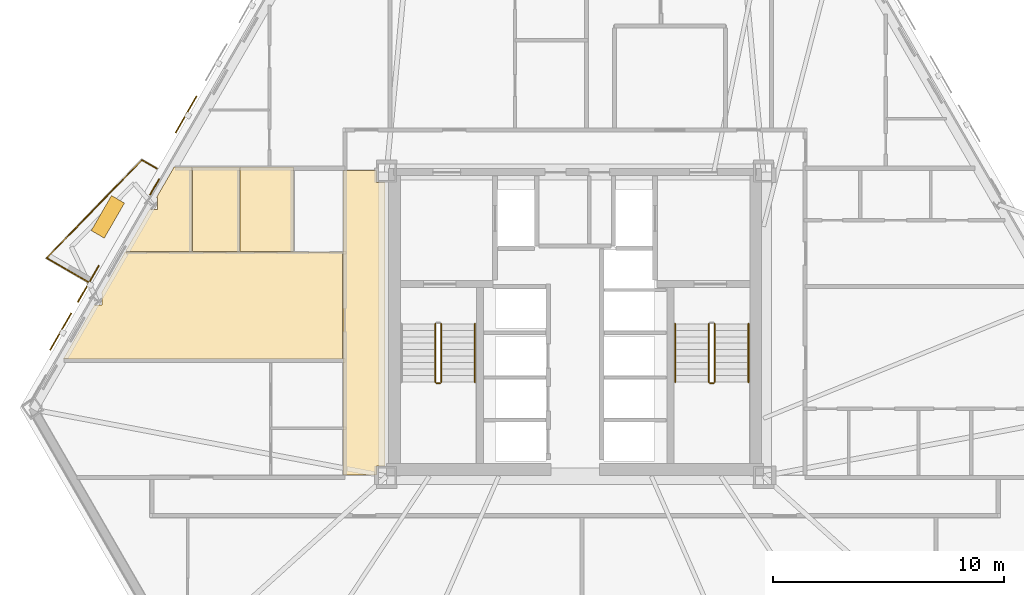
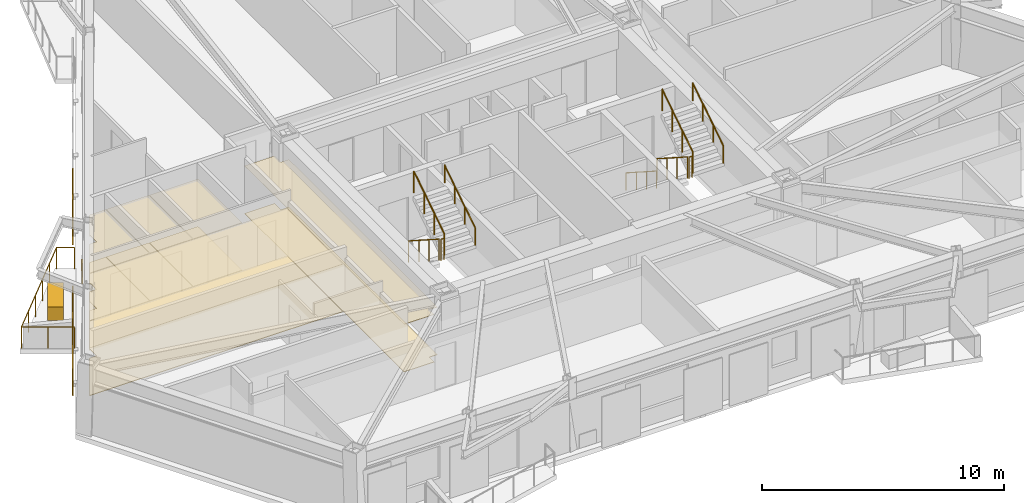
# One storey, part 9 of 11: 12 coverings, 12 railings, 3 shading devices.
"""IFC4 building model written with IfcOpenShell, lengths in metres."""

from ifc_helpers import new_model, si_unit, direction, frame, origin, origin_2d, place, context, subcontext, project, spatial, polyline, rectangle, circle, outline, extrude, material, layer, layer_set, type_object, element, save


model = new_model("IFC4")

# Units and contexts
model_context = context("Model", 3, precision=1e-05, world=origin(), true_north=direction((0.0, 1.0)))
body_context = subcontext(model_context, "Body", "Model", "MODEL_VIEW")
ifc_project = project(units=[si_unit("LENGTHUNIT", "METRE"), si_unit("AREAUNIT", "SQUARE_METRE"), si_unit("VOLUMEUNIT", "CUBIC_METRE"), si_unit("PLANEANGLEUNIT", "RADIAN"), si_unit("MASSUNIT", "GRAM", prefix="KILO")], contexts=[model_context])

# Site, building, storey
site_placement = place(None, origin())
site = spatial("IfcSite", under=ifc_project, at=site_placement, CompositionType="ELEMENT")
building_placement = place(site_placement, origin())
building = spatial("IfcBuilding", under=site, at=building_placement, Name="Oramaril Tower", CompositionType="ELEMENT")
storey_placement = place(building_placement, frame((0.0, 0.0, 82.5)))
storey = spatial("IfcBuildingStorey", under=building, at=storey_placement, Name="L21", CompositionType="ELEMENT", Elevation=82.5)

# Coverings
ifc_material_1 = material(Name="Mineral Fibre Acoustic Ceiling")
ifc_layer_1 = layer(ifc_material_1, 0.02001953125)
ifc_layer_set_1 = layer_set([ifc_layer_1], Name="CVT-CEIL")
covering_type_1 = type_object("IfcCoveringType", Name="CVT-CEIL", PredefinedType="CEILING", material=ifc_layer_set_1)
covering_1_placement = place(storey_placement, frame((0.0, 0.0, 2.39990234375)))
element("IfcCovering", 1, at=covering_1_placement, inside=storey, type_object=covering_type_1, Name="L21 Acoustic Suspended Ceiling 3", PredefinedType="CEILING", context=body_context, shape_type="SweptSolid", body=[
    extrude(outline(polyline([(28.905029296875, 23.705078125), (29.280029296875, 23.705078125), (29.280029296875, 11.445068359375), (28.905029296875, 11.445068359375), (28.905029296875, 11.050048828125), (27.469970703125, 11.050048828125), (27.469970703125, 24.219970703125), (28.905029296875, 24.219970703125), (28.905029296875, 23.705078125)])), origin(), (0.0, 0.0, 1.0), 0.02001953125),
])
covering_2_placement = place(storey_placement, frame((0.0, 0.0, 2.39990234375)))
element("IfcCovering", 2, at=covering_2_placement, inside=storey, type_object=covering_type_1, Name="L21 Acoustic Suspended Ceiling 13", PredefinedType="CEILING", context=body_context, shape_type="SweptSolid", body=[
    extrude(outline(polyline([(16.708984375, 18.39404296875), (17.041015625, 18.39404296875), (17.041015625, 18.91015625), (17.0068359375, 18.91015625), (18.041015625, 20.701171875), (27.449951171875, 20.701171875), (27.449951171875, 16.06201171875), (24.39208984375, 16.06201171875), (24.389892578125, 16.06201171875), (24.38818359375, 16.0615234375), (24.38623046875, 16.06103515625), (24.38427734375, 16.060546875), (24.382568359375, 16.0595703125), (24.382080078125, 16.059326171875), (24.38134765625, 16.0595703125), (24.379638671875, 16.060546875), (24.377685546875, 16.06103515625), (24.3759765625, 16.0615234375), (24.3740234375, 16.06201171875), (24.3720703125, 16.06201171875), (15.3623046875, 16.06201171875), (16.708984375, 18.39404296875)])), origin(), (0.0, 0.0, 1.0), 0.02001953125),
])
covering_3_placement = place(storey_placement, frame((0.0, 0.0, 2.39990234375)))
element("IfcCovering", 3, at=covering_3_placement, inside=storey, type_object=covering_type_1, Name="L21 Acoustic Suspended Ceiling 14", PredefinedType="CEILING", context=body_context, shape_type="SweptSolid", body=[
    extrude(outline(polyline([(19.4345703125, 22.53955078125), (19.4345703125, 23.045654296875), (19.394287109375, 23.045654296875), (20.154296875, 24.362060546875), (20.923583984375, 24.362060546875), (20.923583984375, 20.72119140625), (18.052490234375, 20.72119140625), (19.102294921875, 22.53955078125), (19.4345703125, 22.53955078125)])), origin(), (0.0, 0.0, 1.0), 0.02001953125),
])
covering_4_placement = place(storey_placement, frame((0.0, 0.0, 2.39990234375)))
element("IfcCovering", 4, at=covering_4_placement, inside=storey, type_object=covering_type_1, Name="L21 Acoustic Suspended Ceiling 15", PredefinedType="CEILING", context=body_context, shape_type="SweptSolid", body=[
    extrude(outline(polyline([(22.984619140625, 24.362060546875), (22.984619140625, 20.72119140625), (20.943603515625, 20.72119140625), (20.943603515625, 24.362060546875), (22.984619140625, 24.362060546875)])), origin(), (0.0, 0.0, 1.0), 0.02001953125),
])
covering_5_placement = place(storey_placement, frame((0.0, 0.0, 2.39990234375)))
element("IfcCovering", 5, at=covering_5_placement, inside=storey, type_object=covering_type_1, Name="L21 Acoustic Suspended Ceiling 16", PredefinedType="CEILING", context=body_context, shape_type="SweptSolid", body=[
    extrude(outline(polyline([(25.32666015625, 24.362060546875), (25.32666015625, 20.72119140625), (23.004638671875, 20.72119140625), (23.004638671875, 24.362060546875), (25.32666015625, 24.362060546875)])), origin(), (0.0, 0.0, 1.0), 0.02001953125),
])
ifc_material_2 = material(Name="Warm Cream Limestone", Category="masonry")
ifc_layer_2 = layer(ifc_material_2, 0.050048828125)
ifc_layer_set_2 = layer_set([ifc_layer_2], Name="CVT-CLD")
covering_type_2 = type_object("IfcCoveringType", Name="CVT-CLD", PredefinedType="CLADDING", material=ifc_layer_set_2)
covering_6_placement = place(storey_placement, frame((19.31494140625, 23.510009765625, 0.0400390625), z_axis=(0.0, 0.0, 1.0), x_axis=(-0.5, -0.866025403784, 0.0)))
element("IfcCovering", 6, at=covering_6_placement, inside=storey, type_object=covering_type_2, Name="L21 Warm Cream Limestone Spandrel Cladding", PredefinedType="CLADDING", context=body_context, shape_type="SweptSolid", body=[
    extrude(rectangle(XDim=0.800048828125, YDim=0.050048828125, at=origin_2d()), origin(), (0.0, 0.0, 1.0), 0.679931640625),
])
covering_7_placement = place(storey_placement, frame((17.2939453125, 22.216796875, 0.0), z_axis=(0.0, 0.0, 1.0), x_axis=(-0.500001511499, -0.866024531118, 0.0)))
element("IfcCovering", 7, at=covering_7_placement, inside=storey, type_object=covering_type_2, Name="L21 Structural Tree Planter Box L21-BAL-NW2", PredefinedType="CLADDING", context=body_context, shape_type="SweptSolid", body=[
    extrude(rectangle(XDim=1.75, YDim=0.64990234375, at=origin_2d()), origin(), (0.0, 0.0, 1.0), 0.699951171875),
])
ifc_material_3 = material(Name="Honed Quartzite Stone Flooring", Category="masonry")
ifc_layer_3 = layer(ifc_material_3, 0.02490234375)
ifc_layer_set_3 = layer_set([ifc_layer_3], Name="CVT-FLR")
covering_type_3 = type_object("IfcCoveringType", Name="CVT-FLR", PredefinedType="FLOORING", material=ifc_layer_set_3)
covering_8_placement = place(storey_placement, origin())
element("IfcCovering", 8, at=covering_8_placement, inside=storey, type_object=covering_type_3, Name="L21 Honed Stone Floor Finish 3", PredefinedType="FLOORING", context=body_context, shape_type="SweptSolid", body=[
    extrude(outline(polyline([(28.905029296875, 23.705078125), (29.280029296875, 23.705078125), (29.280029296875, 11.445068359375), (28.905029296875, 11.445068359375), (28.905029296875, 11.050048828125), (27.469970703125, 11.050048828125), (27.469970703125, 24.219970703125), (28.905029296875, 24.219970703125), (28.905029296875, 23.705078125)])), origin(), (0.0, 0.0, 1.0), 0.02490234375),
])
covering_9_placement = place(storey_placement, origin())
element("IfcCovering", 9, at=covering_9_placement, inside=storey, type_object=covering_type_3, Name="L21 Honed Stone Floor Finish 13", PredefinedType="FLOORING", context=body_context, shape_type="SweptSolid", body=[
    extrude(outline(polyline([(16.708984375, 18.39404296875), (17.041015625, 18.39404296875), (17.041015625, 18.91015625), (17.0068359375, 18.91015625), (18.041015625, 20.701171875), (27.449951171875, 20.701171875), (27.449951171875, 16.06201171875), (24.39208984375, 16.06201171875), (24.389892578125, 16.06201171875), (24.38818359375, 16.0615234375), (24.38623046875, 16.06103515625), (24.38427734375, 16.060546875), (24.382568359375, 16.0595703125), (24.382080078125, 16.059326171875), (24.38134765625, 16.0595703125), (24.379638671875, 16.060546875), (24.377685546875, 16.06103515625), (24.3759765625, 16.0615234375), (24.3740234375, 16.06201171875), (24.3720703125, 16.06201171875), (15.3623046875, 16.06201171875), (16.708984375, 18.39404296875)])), origin(), (0.0, 0.0, 1.0), 0.02490234375),
])
covering_10_placement = place(storey_placement, origin())
element("IfcCovering", 10, at=covering_10_placement, inside=storey, type_object=covering_type_3, Name="L21 Honed Stone Floor Finish 14", PredefinedType="FLOORING", context=body_context, shape_type="SweptSolid", body=[
    extrude(outline(polyline([(19.4345703125, 22.53955078125), (19.4345703125, 23.045654296875), (19.394287109375, 23.045654296875), (20.154296875, 24.362060546875), (20.923583984375, 24.362060546875), (20.923583984375, 20.72119140625), (18.052490234375, 20.72119140625), (19.102294921875, 22.53955078125), (19.4345703125, 22.53955078125)])), origin(), (0.0, 0.0, 1.0), 0.02490234375),
])
covering_11_placement = place(storey_placement, origin())
element("IfcCovering", 11, at=covering_11_placement, inside=storey, type_object=covering_type_3, Name="L21 Honed Stone Floor Finish 15", PredefinedType="FLOORING", context=body_context, shape_type="SweptSolid", body=[
    extrude(outline(polyline([(22.984619140625, 24.362060546875), (22.984619140625, 20.72119140625), (20.943603515625, 20.72119140625), (20.943603515625, 24.362060546875), (22.984619140625, 24.362060546875)])), origin(), (0.0, 0.0, 1.0), 0.02490234375),
])
covering_12_placement = place(storey_placement, origin())
element("IfcCovering", 12, at=covering_12_placement, inside=storey, type_object=covering_type_3, Name="L21 Honed Stone Floor Finish 16", PredefinedType="FLOORING", context=body_context, shape_type="SweptSolid", body=[
    extrude(outline(polyline([(25.32666015625, 24.362060546875), (25.32666015625, 20.72119140625), (23.004638671875, 20.72119140625), (23.004638671875, 24.362060546875), (25.32666015625, 24.362060546875)])), origin(), (0.0, 0.0, 1.0), 0.02490234375),
])

# Railings
ifc_material_4 = material(Name="Stainless Steel 316L", Category="steel")
railing_type_1 = type_object("IfcRailingType", Name="RLT-GRD", PredefinedType="GUARDRAIL", material=ifc_material_4)
railing_1_placement = place(storey_placement, frame((16.54443359375, 19.34130859375, 0.0)))
element("IfcRailing", 13, at=railing_1_placement, inside=storey, type_object=railing_type_1, Name="L21 Balcony Guardrail L21-BAL-NW2.1", PredefinedType="GUARDRAIL", context=body_context, shape_type="SweptSolid", body=[
    extrude(circle(Radius=0.02392578125, at=origin_2d()), frame((0.0, 0.0, 1.076171875), z_axis=(-0.866000118559, 0.500043792738, 0.0), x_axis=(-0.500043792738, -0.866000118559, 0.0)), (0.0, 0.0, 1.0), 2.192138671875),
    extrude(circle(Radius=0.02099609375, at=origin_2d()), origin(), (0.0, 0.0, 1.0), 1.052001953125),
    extrude(circle(Radius=0.02099609375, at=origin_2d()), frame((-0.94921875, 0.548095703125, 0.0)), (0.0, 0.0, 1.0), 1.052001953125),
    extrude(circle(Radius=0.02099609375, at=origin_2d()), frame((-1.8984375, 1.09619140625, 0.0)), (0.0, 0.0, 1.0), 1.052001953125),
])
railing_2_placement = place(storey_placement, frame((14.64599609375, 20.4375, 0.0)))
element("IfcRailing", 14, at=railing_2_placement, inside=storey, type_object=railing_type_1, Name="L21 Balcony Guardrail L21-BAL-NW2.2", PredefinedType="GUARDRAIL", context=body_context, shape_type="SweptSolid", body=[
    extrude(circle(Radius=0.02392578125, at=origin_2d()), frame((0.0, 0.0, 1.076171875), z_axis=(0.697207560153, 0.716869317285, 0.0), x_axis=(-0.716869317285, 0.697207560153, 0.0)), (0.0, 0.0, 1.0), 5.910400390625),
    extrude(circle(Radius=0.02099609375, at=origin_2d()), origin(), (0.0, 0.0, 1.0), 1.052001953125),
    extrude(circle(Radius=0.02099609375, at=origin_2d()), frame((0.82421875, 0.847412109375, 0.0)), (0.0, 0.0, 1.0), 1.052001953125),
    extrude(circle(Radius=0.02099609375, at=origin_2d()), frame((1.6484375, 1.69482421875, 0.0)), (0.0, 0.0, 1.0), 1.052001953125),
    extrude(circle(Radius=0.02099609375, at=origin_2d()), frame((2.472412109375, 2.542236328125, 0.0)), (0.0, 0.0, 1.0), 1.052001953125),
    extrude(circle(Radius=0.02099609375, at=origin_2d()), frame((3.296630859375, 3.3896484375, 0.0)), (0.0, 0.0, 1.0), 1.052001953125),
    extrude(circle(Radius=0.02099609375, at=origin_2d()), frame((4.120849609375, 4.237060546875, 0.0)), (0.0, 0.0, 1.0), 1.052001953125),
])
railing_3_placement = place(storey_placement, frame((18.766845703125, 24.674560546875, 0.0)))
element("IfcRailing", 15, at=railing_3_placement, inside=storey, type_object=railing_type_1, Name="L21 Balcony Guardrail L21-BAL-NW2.3", PredefinedType="GUARDRAIL", context=body_context, shape_type="SweptSolid", body=[
    extrude(circle(Radius=0.02392578125, at=origin_2d()), frame((0.0, 0.0, 1.076171875), z_axis=(0.866108878364, -0.499855389907, 0.0), x_axis=(0.499855389907, 0.866108878364, 0.0)), (0.0, 0.0, 1.0), 0.741943359375),
    extrude(circle(Radius=0.02099609375, at=origin_2d()), origin(), (0.0, 0.0, 1.0), 1.052001953125),
    extrude(circle(Radius=0.02099609375, at=origin_2d()), frame((0.642578125, -0.370849609375, 0.0)), (0.0, 0.0, 1.0), 1.052001953125),
])
railing_4_placement = place(storey_placement, frame((31.4599609375, 17.590087890625, 0.179931640625)))
element("IfcRailing", 16, at=railing_4_placement, inside=storey, type_object=railing_type_1, Name="L21 ST-1 stair guard 1", PredefinedType="GUARDRAIL", context=body_context, shape_type="SweptSolid", body=[
    extrude(circle(Radius=0.02392578125, at=origin_2d()), frame((0.0, 0.0, 1.076171875), z_axis=(0.0, -0.841162588446, 0.540782303519), x_axis=(1.0, 0.0, 0.0)), (0.0, 0.0, 1.0), 2.995849609375),
    extrude(circle(Radius=0.02099609375, at=origin_2d()), origin(), (0.0, 0.0, 1.0), 1.052001953125),
    extrude(circle(Radius=0.02099609375, at=origin_2d()), frame((0.0, -0.840087890625, 0.5400390625)), (0.0, 0.0, 1.0), 1.052001953125),
    extrude(circle(Radius=0.02099609375, at=origin_2d()), frame((0.0, -1.679931640625, 1.080078125)), (0.0, 0.0, 1.0), 1.052001953125),
    extrude(circle(Radius=0.02099609375, at=origin_2d()), frame((0.0, -2.52001953125, 1.6201171875)), (0.0, 0.0, 1.0), 1.052001953125),
])
railing_5_placement = place(storey_placement, frame((31.510009765625, 15.02001953125, 1.800048828125)))
element("IfcRailing", 17, at=railing_5_placement, inside=storey, type_object=railing_type_1, Name="L21 ST-1 stair guard 2", PredefinedType="GUARDRAIL", context=body_context, shape_type="SweptSolid", body=[
    extrude(circle(Radius=0.02392578125, at=origin_2d()), frame((0.0, 0.0, 1.076171875), z_axis=(1.0, 0.0, 0.0), x_axis=(0.0, 1.0, 0.0)), (0.0, 0.0, 1.0), 0.14990234375),
    extrude(circle(Radius=0.02099609375, at=origin_2d()), origin(), (0.0, 0.0, 1.0), 1.052001953125),
    extrude(circle(Radius=0.02099609375, at=origin_2d()), frame((0.14990234375, 0.0, 0.0)), (0.0, 0.0, 1.0), 1.052001953125),
])
railing_6_placement = place(storey_placement, frame((31.7099609375, 15.070068359375, 1.97998046875)))
element("IfcRailing", 18, at=railing_6_placement, inside=storey, type_object=railing_type_1, Name="L21 ST-1 stair guard 3", PredefinedType="GUARDRAIL", context=body_context, shape_type="SweptSolid", body=[
    extrude(circle(Radius=0.02392578125, at=origin_2d()), frame((0.0, 0.0, 1.076171875), z_axis=(0.0, 0.841162588446, 0.540782303519), x_axis=(-1.0, 0.0, 0.0)), (0.0, 0.0, 1.0), 2.995849609375),
    extrude(circle(Radius=0.02099609375, at=origin_2d()), origin(), (0.0, 0.0, 1.0), 1.052001953125),
    extrude(circle(Radius=0.02099609375, at=origin_2d()), frame((0.0, 0.840087890625, 0.5400390625)), (0.0, 0.0, 1.0), 1.052001953125),
    extrude(circle(Radius=0.02099609375, at=origin_2d()), frame((0.0, 1.679931640625, 1.080078125)), (0.0, 0.0, 1.0), 1.052001953125),
    extrude(circle(Radius=0.02099609375, at=origin_2d()), frame((0.0, 2.52001953125, 1.6201171875)), (0.0, 0.0, 1.0), 1.052001953125),
])
railing_7_placement = place(storey_placement, frame((43.2900390625, 17.590087890625, 0.179931640625)))
element("IfcRailing", 19, at=railing_7_placement, inside=storey, type_object=railing_type_1, Name="L21 ST-2 stair guard 1", PredefinedType="GUARDRAIL", context=body_context, shape_type="SweptSolid", body=[
    extrude(circle(Radius=0.02392578125, at=origin_2d()), frame((0.0, 0.0, 1.076171875), z_axis=(0.0, -0.841162588446, 0.540782303519), x_axis=(1.0, 0.0, 0.0)), (0.0, 0.0, 1.0), 2.995849609375),
    extrude(circle(Radius=0.02099609375, at=origin_2d()), origin(), (0.0, 0.0, 1.0), 1.052001953125),
    extrude(circle(Radius=0.02099609375, at=origin_2d()), frame((0.0, -0.840087890625, 0.5400390625)), (0.0, 0.0, 1.0), 1.052001953125),
    extrude(circle(Radius=0.02099609375, at=origin_2d()), frame((0.0, -1.679931640625, 1.080078125)), (0.0, 0.0, 1.0), 1.052001953125),
    extrude(circle(Radius=0.02099609375, at=origin_2d()), frame((0.0, -2.52001953125, 1.6201171875)), (0.0, 0.0, 1.0), 1.052001953125),
])
railing_8_placement = place(storey_placement, frame((43.340087890625, 15.02001953125, 1.800048828125)))
element("IfcRailing", 20, at=railing_8_placement, inside=storey, type_object=railing_type_1, Name="L21 ST-2 stair guard 2", PredefinedType="GUARDRAIL", context=body_context, shape_type="SweptSolid", body=[
    extrude(circle(Radius=0.02392578125, at=origin_2d()), frame((0.0, 0.0, 1.076171875), z_axis=(1.0, 0.0, 0.0), x_axis=(0.0, 1.0, 0.0)), (0.0, 0.0, 1.0), 0.14990234375),
    extrude(circle(Radius=0.02099609375, at=origin_2d()), origin(), (0.0, 0.0, 1.0), 1.052001953125),
    extrude(circle(Radius=0.02099609375, at=origin_2d()), frame((0.14990234375, 0.0, 0.0)), (0.0, 0.0, 1.0), 1.052001953125),
])
railing_9_placement = place(storey_placement, frame((43.5400390625, 15.070068359375, 1.97998046875)))
element("IfcRailing", 21, at=railing_9_placement, inside=storey, type_object=railing_type_1, Name="L21 ST-2 stair guard 3", PredefinedType="GUARDRAIL", context=body_context, shape_type="SweptSolid", body=[
    extrude(circle(Radius=0.02392578125, at=origin_2d()), frame((0.0, 0.0, 1.076171875), z_axis=(0.0, 0.841162588446, 0.540782303519), x_axis=(-1.0, 0.0, 0.0)), (0.0, 0.0, 1.0), 2.995849609375),
    extrude(circle(Radius=0.02099609375, at=origin_2d()), origin(), (0.0, 0.0, 1.0), 1.052001953125),
    extrude(circle(Radius=0.02099609375, at=origin_2d()), frame((0.0, 0.840087890625, 0.5400390625)), (0.0, 0.0, 1.0), 1.052001953125),
    extrude(circle(Radius=0.02099609375, at=origin_2d()), frame((0.0, 1.679931640625, 1.080078125)), (0.0, 0.0, 1.0), 1.052001953125),
    extrude(circle(Radius=0.02099609375, at=origin_2d()), frame((0.0, 2.52001953125, 1.6201171875)), (0.0, 0.0, 1.0), 1.052001953125),
])
ifc_material_5 = material(Name="Stainless Steel 316L", Category="steel")
railing_type_2 = type_object("IfcRailingType", Name="RLT-HND", PredefinedType="HANDRAIL", material=ifc_material_5)
railing_10_placement = place(storey_placement, frame((33.169921875, 15.070068359375, 1.97998046875)))
element("IfcRailing", 22, at=railing_10_placement, inside=storey, type_object=railing_type_2, Name="L21 ST-1 stair handrail 2", PredefinedType="HANDRAIL", context=body_context, shape_type="SweptSolid", body=[
    extrude(circle(Radius=0.02392578125, at=origin_2d()), frame((0.0, 0.0, 0.8759765625), z_axis=(0.0, 0.841162588446, 0.540782303519), x_axis=(-1.0, 0.0, 0.0)), (0.0, 0.0, 1.0), 2.995849609375),
    extrude(circle(Radius=0.02099609375, at=origin_2d()), origin(), (0.0, 0.0, 1.0), 0.851806640625),
    extrude(circle(Radius=0.02099609375, at=origin_2d()), frame((0.0, 0.840087890625, 0.5400390625)), (0.0, 0.0, 1.0), 0.851806640625),
    extrude(circle(Radius=0.02099609375, at=origin_2d()), frame((0.0, 1.679931640625, 1.080078125)), (0.0, 0.0, 1.0), 0.851806640625),
    extrude(circle(Radius=0.02099609375, at=origin_2d()), frame((0.0, 2.52001953125, 1.6201171875)), (0.0, 0.0, 1.0), 0.851806640625),
])
railing_11_placement = place(storey_placement, frame((41.830078125, 17.590087890625, 0.179931640625)))
element("IfcRailing", 23, at=railing_11_placement, inside=storey, type_object=railing_type_2, Name="L21 ST-2 stair handrail 1", PredefinedType="HANDRAIL", context=body_context, shape_type="SweptSolid", body=[
    extrude(circle(Radius=0.02392578125, at=origin_2d()), frame((0.0, 0.0, 0.8759765625), z_axis=(0.0, -0.841162588446, 0.540782303519), x_axis=(1.0, 0.0, 0.0)), (0.0, 0.0, 1.0), 2.995849609375),
    extrude(circle(Radius=0.02099609375, at=origin_2d()), origin(), (0.0, 0.0, 1.0), 0.851806640625),
    extrude(circle(Radius=0.02099609375, at=origin_2d()), frame((0.0, -0.840087890625, 0.5400390625)), (0.0, 0.0, 1.0), 0.851806640625),
    extrude(circle(Radius=0.02099609375, at=origin_2d()), frame((0.0, -1.679931640625, 1.080078125)), (0.0, 0.0, 1.0), 0.851806640625),
    extrude(circle(Radius=0.02099609375, at=origin_2d()), frame((0.0, -2.52001953125, 1.6201171875)), (0.0, 0.0, 1.0), 0.851806640625),
])
railing_12_placement = place(storey_placement, frame((45.0, 15.070068359375, 1.97998046875)))
element("IfcRailing", 24, at=railing_12_placement, inside=storey, type_object=railing_type_2, Name="L21 ST-2 stair handrail 2", PredefinedType="HANDRAIL", context=body_context, shape_type="SweptSolid", body=[
    extrude(circle(Radius=0.02392578125, at=origin_2d()), frame((0.0, 0.0, 0.8759765625), z_axis=(0.0, 0.841162588446, 0.540782303519), x_axis=(-1.0, 0.0, 0.0)), (0.0, 0.0, 1.0), 2.995849609375),
    extrude(circle(Radius=0.02099609375, at=origin_2d()), origin(), (0.0, 0.0, 1.0), 0.851806640625),
    extrude(circle(Radius=0.02099609375, at=origin_2d()), frame((0.0, 0.840087890625, 0.5400390625)), (0.0, 0.0, 1.0), 0.851806640625),
    extrude(circle(Radius=0.02099609375, at=origin_2d()), frame((0.0, 1.679931640625, 1.080078125)), (0.0, 0.0, 1.0), 0.851806640625),
    extrude(circle(Radius=0.02099609375, at=origin_2d()), frame((0.0, 2.52001953125, 1.6201171875)), (0.0, 0.0, 1.0), 0.851806640625),
])

# Shading devices
for number, where, z_axis, x_axis, name in (
    (25, (15.257080078125, 17.255615234375, -0.02001953125), (0.0, 0.0, 1.0), (-0.5, -0.866025403784, 0.0), "L21 Perforated Ceramic Solar Screen"),
    (26, (16.4482421875, 19.318603515625, -0.02001953125), (0.0, 0.0, 1.0), (-0.5, -0.866025403784, 0.0), "L21 Perforated Ceramic Solar Screen"),
    (27, (20.677734375, 26.644287109375, -0.02001953125), (0.0, 0.0, 1.0), (-0.5, -0.866025403784, 0.0), "L21 Perforated Ceramic Solar Screen"),
):
    element("IfcShadingDevice", number, at=place(storey_placement, frame(where, z_axis=z_axis, x_axis=x_axis)), inside=storey, Name=name, ObjectType="SCREEN", PredefinedType="USERDEFINED", context=body_context, shape_type="SweptSolid", body=[
        extrude(rectangle(XDim=1.8330078125, YDim=0.050048828125, at=origin_2d()), origin(), (0.0, 0.0, 1.0), 2.577880859375),
    ])

save(model, "model.ifc")
